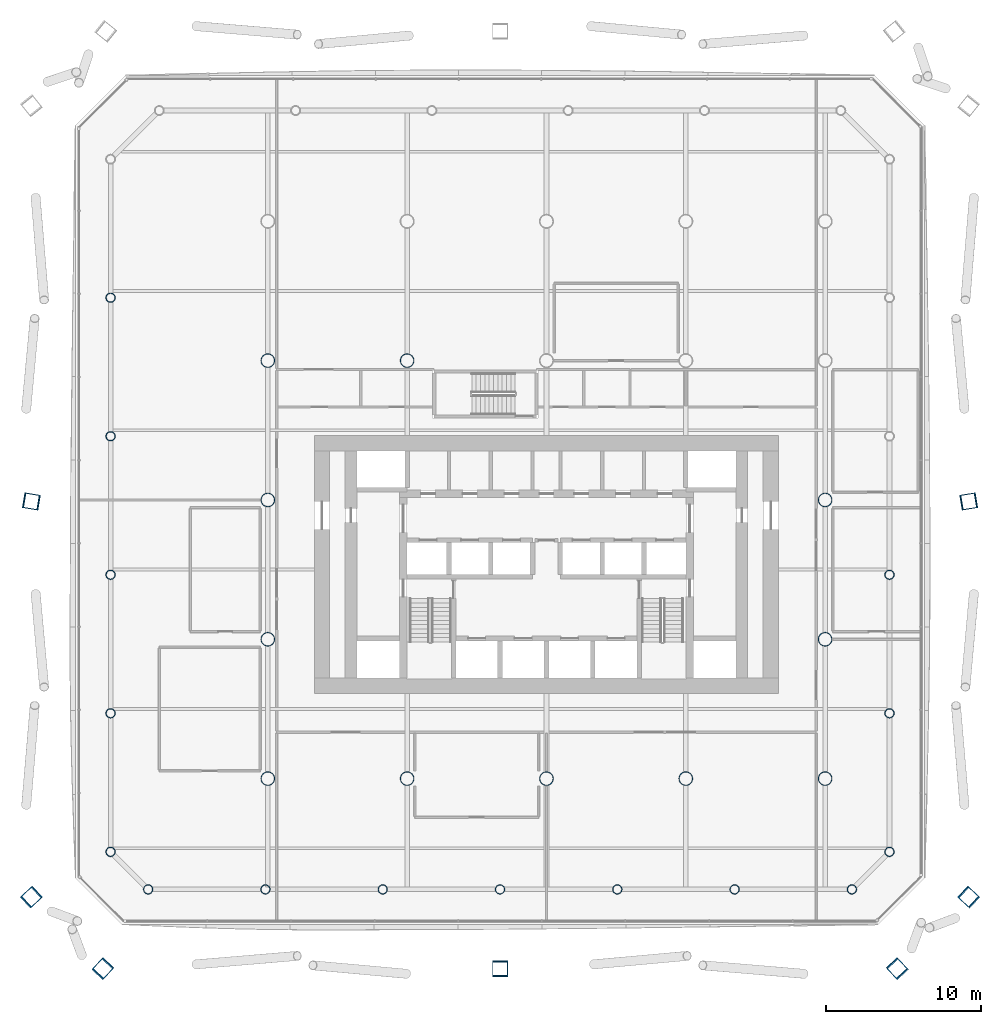
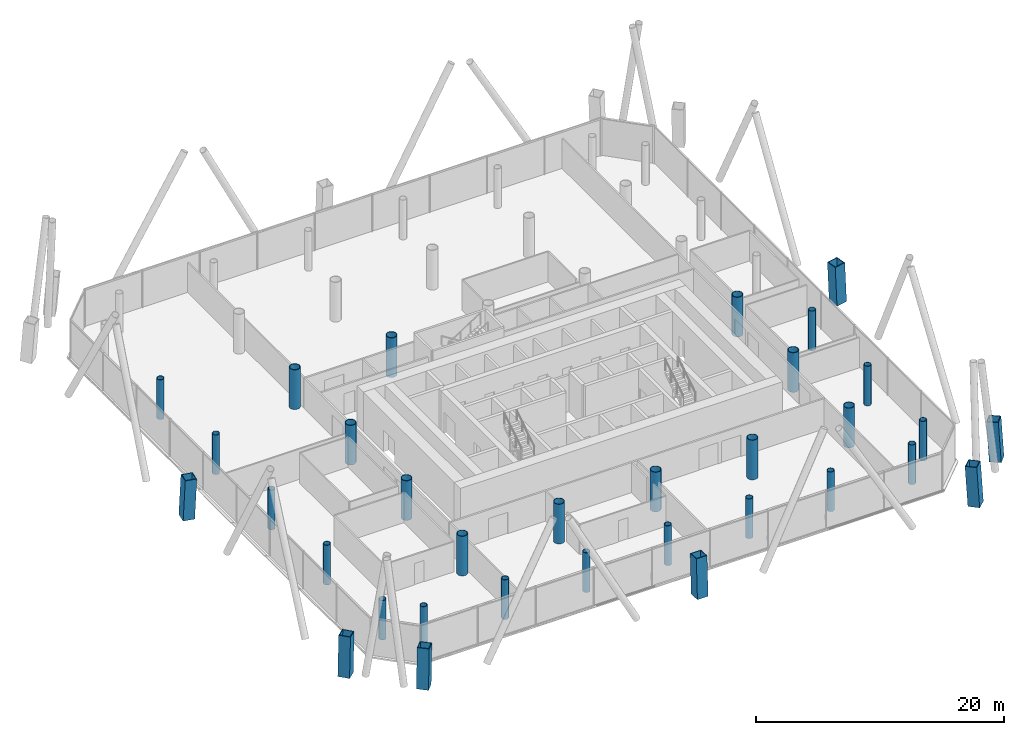
# One storey, part 1 of 25: 33 columns.
"""IFC4 building model written with IfcOpenShell, lengths in metres."""

from ifc_helpers import new_model, si_unit, direction, frame, origin, origin_2d, place, context, subcontext, project, spatial, hollow_rectangle, hollow_circle, extrude, material, material_profile, profile_set, type_object, element, save


model = new_model("IFC4")

# Units and contexts
model_context = context("Model", 3, precision=1e-05, world=origin(), true_north=direction((0.0, 1.0)))
body_context = subcontext(model_context, "Body", "Model", "MODEL_VIEW")
ifc_project = project(units=[si_unit("LENGTHUNIT", "METRE"), si_unit("AREAUNIT", "SQUARE_METRE"), si_unit("VOLUMEUNIT", "CUBIC_METRE"), si_unit("PLANEANGLEUNIT", "RADIAN"), si_unit("MASSUNIT", "GRAM", prefix="KILO")], contexts=[model_context])

# Site, building, storey
site_placement = place(None, origin())
site = spatial("IfcSite", under=ifc_project, at=site_placement, CompositionType="ELEMENT")
building_placement = place(site_placement, origin())
building = spatial("IfcBuilding", under=site, at=building_placement, Name="Tskaro Facet Tower", CompositionType="ELEMENT")
storey_placement = place(building_placement, frame((0.0, 0.0, 22.5)))
storey = spatial("IfcBuildingStorey", under=building, at=storey_placement, Name="L04", CompositionType="ELEMENT", Elevation=22.5)

# Columns
ifc_material_1 = material(Name="Steel S460M", Category="steel")
ifc_material_profile_1 = material_profile(ifc_material_1, hollow_rectangle(XDim=1.0, YDim=1.0, WallThickness=0.06005859375, at=origin_2d()), Name="BOX 1000x1000x60")
ifc_profile_set_1 = profile_set([ifc_material_profile_1], Name="Steel S460M")
column_type_1 = type_object("IfcColumnType", Name="BOX 1000x1000x60 mega column", PredefinedType="COLUMN", material=ifc_profile_set_1)
column_1_placement = place(storey_placement, frame((-28.680908203125, -30.302001953125, 0.0), z_axis=(0.042734014709, 0.04654508912, 0.998001682697), x_axis=(-0.736620357353, 0.676306475744, 0.0)))
element("IfcColumn", 1, at=column_1_placement, inside=storey, type_object=column_type_1, Name="BOX 1000x1000x60 MC01/1", PredefinedType="COLUMN", context=body_context, shape_type="SweptSolid", body=[
    extrude(hollow_rectangle(XDim=1.0, YDim=1.0, WallThickness=0.06005859375, at=origin_2d()), origin(), (0.0, 0.0, 1.0), 3.90771484375),
])
column_2_placement = place(storey_placement, frame((-3.0, -30.302001953125, 0.0), z_axis=(0.0, 0.046587647648, 0.998914206069), x_axis=(-1.0, 0.0, 0.0)))
element("IfcColumn", 2, at=column_2_placement, inside=storey, type_object=column_type_1, Name="BOX 1000x1000x60 MC02/1", PredefinedType="COLUMN", context=body_context, shape_type="SweptSolid", body=[
    extrude(hollow_rectangle(XDim=1.0, YDim=1.0, WallThickness=0.06005859375, at=origin_2d()), origin(), (0.0, 0.0, 1.0), 3.904052734375),
])
for number, where, z_axis, x_axis, name in (
    (3, (22.680908203125, -30.302001953125, 0.0), (-0.042734014709, 0.04654508912, 0.998001682697), (-0.736620357353, -0.676306475744, 0.0), "BOX 1000x1000x60 MC03/1"),
    (4, (27.302001953125, -25.680908203125, 0.0), (-0.04654508912, 0.042734014709, 0.998001682697), (-0.676306475744, -0.736620357353, 0.0), "BOX 1000x1000x60 MC04/1"),
):
    element("IfcColumn", number, at=place(storey_placement, frame(where, z_axis=z_axis, x_axis=x_axis)), inside=storey, type_object=column_type_1, Name=name, PredefinedType="COLUMN", context=body_context, shape_type="SweptSolid", body=[
        extrude(hollow_rectangle(XDim=1.0, YDim=1.0, WallThickness=0.06005859375, at=origin_2d()), origin(), (0.0, 0.0, 1.0), 3.90771484375),
    ])
for number, where, z_axis, x_axis, name in (
    (5, (27.302001953125, -0.090087890625, 0.0), (-0.046586269611, -0.007691424379, 0.998884658744), (0.162895476227, -0.986643331617, 0.0), "BOX 1000x1000x60 MC05/1"),
    (6, (-33.302001953125, -0.090087890625, 0.0), (0.046586269611, -0.007691424379, 0.998884658744), (0.162895476227, 0.986643331617, 0.0), "BOX 1000x1000x60 MC11/1"),
):
    element("IfcColumn", number, at=place(storey_placement, frame(where, z_axis=z_axis, x_axis=x_axis)), inside=storey, type_object=column_type_1, Name=name, PredefinedType="COLUMN", context=body_context, shape_type="SweptSolid", body=[
        extrude(hollow_rectangle(XDim=1.0, YDim=1.0, WallThickness=0.06005859375, at=origin_2d()), origin(), (0.0, 0.0, 1.0), 3.904296875),
    ])
column_3_placement = place(storey_placement, frame((-33.302001953125, -25.680908203125, 0.0), z_axis=(0.04654508912, 0.042734014709, 0.998001682697), x_axis=(-0.676306475744, 0.736620357353, 0.0)))
element("IfcColumn", 7, at=column_3_placement, inside=storey, type_object=column_type_1, Name="BOX 1000x1000x60 MC12/1", PredefinedType="COLUMN", context=body_context, shape_type="SweptSolid", body=[
    extrude(hollow_rectangle(XDim=1.0, YDim=1.0, WallThickness=0.06005859375, at=origin_2d()), origin(), (0.0, 0.0, 1.0), 3.90771484375),
])
ifc_material_2 = material(Name="Steel S355J2H", Category="steel")
ifc_material_profile_2 = material_profile(ifc_material_2, hollow_circle(Radius=0.304931640625, WallThickness=0.030029296875, at=origin_2d()), Name="CHS 610x30")
ifc_profile_set_2 = profile_set([ifc_material_profile_2], Name="Steel S355J2H")
column_type_2 = type_object("IfcColumnType", Name="CHS 610x30 ring column", PredefinedType="COLUMN", material=ifc_profile_set_2)
for number, where, z_axis, x_axis, name in (
    (8, (-25.72900390625, -25.156982421875, 0.0), (0.0, 0.0, 1.0), (1.0, 0.0, 0.0), "CHS 610x30 RS-1/1"),
    (9, (-18.153076171875, -25.156982421875, 0.0), (0.0, 0.0, 1.0), (1.0, 0.0, 0.0), "CHS 610x30 RS-2/1"),
    (10, (-10.575927734375, -25.156982421875, 0.0), (0.0, 0.0, 1.0), (1.0, 0.0, 0.0), "CHS 610x30 RS-3/1"),
    (11, (-3.0, -25.156982421875, 0.0), (0.0, 0.0, 1.0), (1.0, 0.0, 0.0), "CHS 610x30 RS-4/1"),
    (12, (4.575927734375, -25.156982421875, 0.0), (0.0, 0.0, 1.0), (1.0, 0.0, 0.0), "CHS 610x30 RS-5/1"),
    (13, (12.153076171875, -25.156982421875, 0.0), (0.0, 0.0, 1.0), (1.0, 0.0, 0.0), "CHS 610x30 RS-6/1"),
    (14, (19.72900390625, -25.156982421875, 0.0), (0.0, 0.0, 1.0), (1.0, 0.0, 0.0), "CHS 610x30 RSE-1/1"),
    (15, (22.156982421875, -22.72900390625, 0.0), (0.0, 0.0, 1.0), (1.0, 0.0, 0.0), "CHS 610x30 RE-1/1"),
    (16, (22.156982421875, -13.781005859375, 0.0), (0.0, 0.0, 1.0), (1.0, 0.0, 0.0), "CHS 610x30 RE-2/1"),
    (17, (22.156982421875, -4.8330078125, 0.0), (0.0, 0.0, 1.0), (1.0, 0.0, 0.0), "CHS 610x30 RE-3/1"),
    (18, (-28.156982421875, 13.06396484375, 0.0), (0.0, 0.0, 1.0), (1.0, 0.0, 0.0), "CHS 610x30 RW-2/1"),
    (19, (-28.156982421875, 4.115966796875, 0.0), (0.0, 0.0, 1.0), (1.0, 0.0, 0.0), "CHS 610x30 RW-3/1"),
    (20, (-28.156982421875, -4.8330078125, 0.0), (0.0, 0.0, 1.0), (1.0, 0.0, 0.0), "CHS 610x30 RW-4/1"),
    (21, (-28.156982421875, -13.781005859375, 0.0), (0.0, 0.0, 1.0), (1.0, 0.0, 0.0), "CHS 610x30 RW-5/1"),
    (22, (-28.156982421875, -22.72900390625, 0.0), (0.0, 0.0, 1.0), (1.0, 0.0, 0.0), "CHS 610x30 RSW-1/1"),
):
    element("IfcColumn", number, at=place(storey_placement, frame(where, z_axis=z_axis, x_axis=x_axis)), inside=storey, type_object=column_type_2, Name=name, PredefinedType="COLUMN", context=body_context, shape_type="SweptSolid", body=[
        extrude(hollow_circle(Radius=0.304931640625, WallThickness=0.030029296875, at=origin_2d()), origin(), (0.0, 0.0, 1.0), 3.89990234375),
    ])
ifc_material_profile_3 = material_profile(ifc_material_2, hollow_circle(Radius=0.457275390625, WallThickness=0.050048828125, at=origin_2d()), Name="CHS 914.4x50")
ifc_profile_set_3 = profile_set([ifc_material_profile_3], Name="Steel S355J2H")
column_type_3 = type_object("IfcColumnType", Name="CHS 914.4x50 interior column", PredefinedType="COLUMN", material=ifc_profile_set_3)
for number, where, z_axis, x_axis, name in (
    (23, (-18.0, -18.0, 0.0), (0.0, 0.0, 1.0), (1.0, 0.0, 0.0), "CHS 914.4x50 C2B/1"),
    (24, (-18.0, -9.0, 0.0), (0.0, 0.0, 1.0), (1.0, 0.0, 0.0), "CHS 914.4x50 C2C/1"),
    (25, (-18.0, 0.0, 0.0), (0.0, 0.0, 1.0), (1.0, 0.0, 0.0), "CHS 914.4x50 C2D/1"),
    (26, (-18.0, 9.0, 0.0), (0.0, 0.0, 1.0), (1.0, 0.0, 0.0), "CHS 914.4x50 C2E/1"),
    (27, (-9.0, -18.0, 0.0), (0.0, 0.0, 1.0), (1.0, 0.0, 0.0), "CHS 914.4x50 C3B/1"),
    (28, (-9.0, 9.0, 0.0), (0.0, 0.0, 1.0), (1.0, 0.0, 0.0), "CHS 914.4x50 C3E/1"),
    (29, (0.0, -18.0, 0.0), (0.0, 0.0, 1.0), (1.0, 0.0, 0.0), "CHS 914.4x50 C4B/1"),
    (30, (9.0, -18.0, 0.0), (0.0, 0.0, 1.0), (1.0, 0.0, 0.0), "CHS 914.4x50 C5B/1"),
    (31, (18.0, -18.0, 0.0), (0.0, 0.0, 1.0), (1.0, 0.0, 0.0), "CHS 914.4x50 C6B/1"),
    (32, (18.0, -9.0, 0.0), (0.0, 0.0, 1.0), (1.0, 0.0, 0.0), "CHS 914.4x50 C6C/1"),
    (33, (18.0, 0.0, 0.0), (0.0, 0.0, 1.0), (1.0, 0.0, 0.0), "CHS 914.4x50 C6D/1"),
):
    element("IfcColumn", number, at=place(storey_placement, frame(where, z_axis=z_axis, x_axis=x_axis)), inside=storey, type_object=column_type_3, Name=name, PredefinedType="COLUMN", context=body_context, shape_type="SweptSolid", body=[
        extrude(hollow_circle(Radius=0.457275390625, WallThickness=0.050048828125, at=origin_2d()), origin(), (0.0, 0.0, 1.0), 3.89990234375),
    ])

save(model, "model.ifc")
